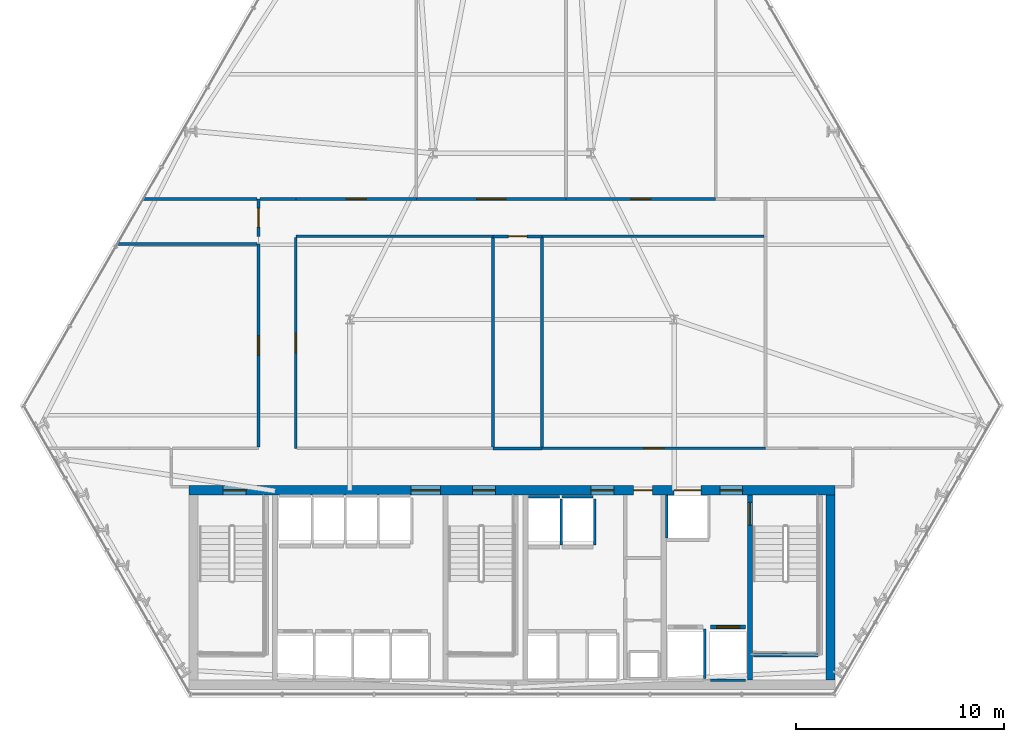
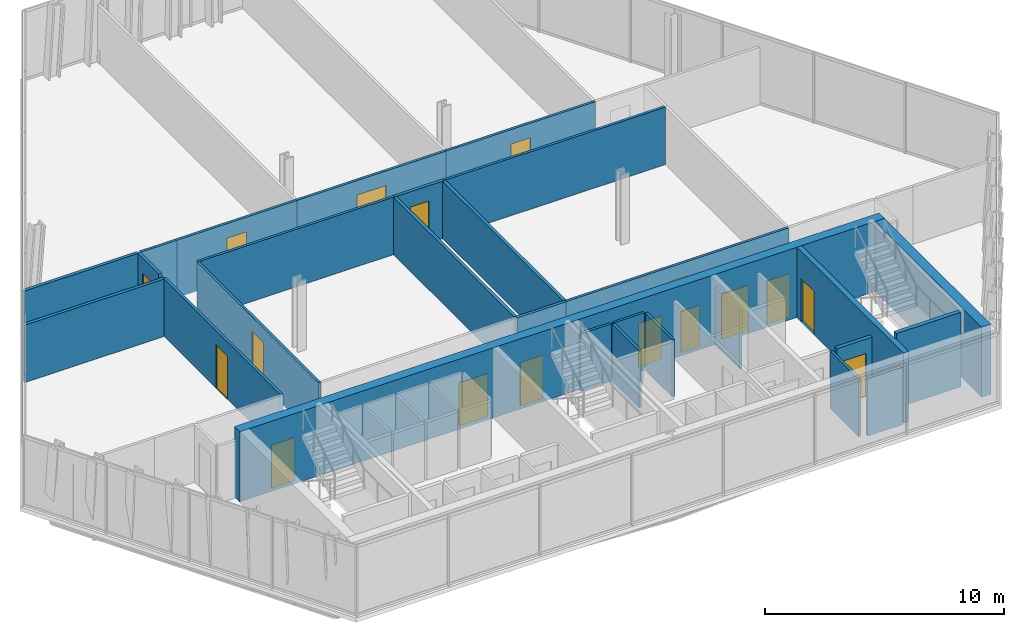
# One storey, part 28 of 32: 28 walls, 17 doors, 17 openings.
"""IFC4 building model written with IfcOpenShell, lengths in metres."""

from ifc_helpers import new_model, si_unit, direction, frame, frame_2d, origin, place, context, subcontext, project, spatial, rectangle, extrude, material, layer, layer_set, type_object, element, fill, save


model = new_model("IFC4")

# Units and contexts
model_context = context("Model", 3, precision=1e-05, world=origin(), true_north=direction((0.0, 1.0)))
body_context = subcontext(model_context, "Body", "Model", "MODEL_VIEW")
ifc_project = project(units=[si_unit("LENGTHUNIT", "METRE"), si_unit("AREAUNIT", "SQUARE_METRE"), si_unit("VOLUMEUNIT", "CUBIC_METRE"), si_unit("PLANEANGLEUNIT", "RADIAN"), si_unit("MASSUNIT", "GRAM", prefix="KILO")], contexts=[model_context])

# Site, building, storey
site_placement = place(None, origin())
site = spatial("IfcSite", under=ifc_project, at=site_placement, CompositionType="ELEMENT")
building_placement = place(site_placement, origin())
building = spatial("IfcBuilding", under=site, at=building_placement, Name="Ndaravel Arena Tower", CompositionType="ELEMENT")
storey_placement = place(building_placement, frame((0.0, 0.0, 55.0)))
storey = spatial("IfcBuildingStorey", under=building, at=storey_placement, Name="L11", CompositionType="ELEMENT", Elevation=55.0)

# Wall, opening, door
ifc_material_1 = material(Name="Concrete C60/75", Category="concrete")
ifc_layer_1 = layer(ifc_material_1, 0.25)
ifc_layer_set_1 = layer_set([ifc_layer_1], Name="Concrete C60/75")
wall_type_1 = type_object("IfcWallType", Name="WALL-CORE-250", PredefinedType="SOLIDWALL", material=ifc_layer_set_1)
wall_1_placement = place(storey_placement, frame((53.449951171875, 5.85009765625, 0.0), z_axis=(0.0, 0.0, 1.0), x_axis=(0.0, 1.0, 0.0)))
wall_1 = element("IfcWall", 1, at=wall_1_placement, inside=storey, type_object=wall_type_1, Name="L11 Core Web Shear Wall 5", PredefinedType="SOLIDWALL", context=body_context, shape_type="SweptSolid", body=[
    extrude(rectangle(XDim=8.89990234375, YDim=0.25, at=frame_2d((4.449951171875, 0.0))), origin(), (0.0, 0.0, 1.0), 3.580078125),
])
opening_1_placement = place(wall_1_placement, frame((7.449951171875, 0.0, 0.0)))
opening_1 = element("IfcOpeningElement", 2, at=opening_1_placement, cuts=wall_1, Name="Opening FD-01", PredefinedType="OPENING", context=body_context, shape_type="SweptSolid", body=[
    extrude(rectangle(XDim=1.10009765625, YDim=2.199951171875, at=frame_2d((0.550048828125, 1.10009765625))), frame((0.0, 0.125, 0.0), z_axis=(0.0, -1.0, 0.0), x_axis=(1.0, 0.0, 0.0)), (0.0, 0.0, 1.0), 0.25),
])
ifc_material_2 = material(Name="Steel S355", Category="steel")
door_type_1 = type_object("IfcDoorType", Name="DT-01-STAIR-1100", OperationType="SINGLE_SWING_LEFT", PredefinedType="DOOR", material=ifc_material_2)
door_1_placement = place(opening_1_placement, origin())
door_1 = element("IfcDoor", 3, at=door_1_placement, inside=storey, type_object=door_type_1, Name="L11 Firefighting Lobby to ST-3 Door", OperationType="SINGLE_SWING_LEFT", OverallHeight=2.199951171875, OverallWidth=1.10009765625, PredefinedType="DOOR", context=body_context, shape_type="SweptSolid", body=[
    extrude(rectangle(XDim=1.10009765625, YDim=2.199951171875, at=frame_2d((0.550048828125, 1.10009765625))), frame((0.0, 0.02490234375, 0.0), z_axis=(0.0, -1.0, 0.0), x_axis=(1.0, 0.0, 0.0)), (0.0, 0.0, 1.0), 0.050048828125),
])
fill(opening_1, door_1)

# Wall, openings, doors
ifc_material_3 = material(Name="Concrete C60/75", Category="concrete")
ifc_layer_2 = layer(ifc_material_3, 0.449951171875)
ifc_layer_set_2 = layer_set([ifc_layer_2], Name="Concrete C60/75")
wall_type_2 = type_object("IfcWallType", Name="WALL-CORE-450", PredefinedType="SOLIDWALL", material=ifc_layer_set_2)
wall_2_placement = place(storey_placement, frame((26.449951171875, 14.97509765625, 0.0), z_axis=(0.0, 0.0, 1.0), x_axis=(1.0, 0.0, 0.0)))
wall_2 = element("IfcWall", 4, at=wall_2_placement, inside=storey, type_object=wall_type_2, Name="L11 Core North Shear Wall", PredefinedType="SOLIDWALL", context=body_context, shape_type="SweptSolid", body=[
    extrude(rectangle(XDim=31.10009765625, YDim=0.449951171875, at=frame_2d((15.550048828125, 0.0))), origin(), (0.0, 0.0, 1.0), 3.580078125),
])
opening_2_placement = place(wall_2_placement, frame((1.64990234375, 0.0, 0.0)))
opening_2 = element("IfcOpeningElement", 5, at=opening_2_placement, cuts=wall_2, Name="Opening FD-01", PredefinedType="OPENING", context=body_context, shape_type="SweptSolid", body=[
    extrude(rectangle(XDim=1.10009765625, YDim=2.199951171875, at=frame_2d((0.550048828125, 1.10009765625))), frame((0.0, 0.22509765625, 0.0), z_axis=(0.0, -1.0, 0.0), x_axis=(1.0, 0.0, 0.0)), (0.0, 0.0, 1.0), 0.449951171875),
])
opening_3_placement = place(wall_2_placement, frame((13.64990234375, 0.0, 0.0)))
opening_3 = element("IfcOpeningElement", 6, at=opening_3_placement, cuts=wall_2, Name="Opening FD-01", PredefinedType="OPENING", context=body_context, shape_type="SweptSolid", body=[
    extrude(rectangle(XDim=1.10009765625, YDim=2.199951171875, at=frame_2d((0.550048828125, 1.10009765625))), frame((0.0, 0.22509765625, 0.0), z_axis=(0.0, -1.0, 0.0), x_axis=(1.0, 0.0, 0.0)), (0.0, 0.0, 1.0), 0.449951171875),
])
opening_4_placement = place(wall_2_placement, frame((25.550048828125, 0.0, 0.0)))
opening_4 = element("IfcOpeningElement", 7, at=opening_4_placement, cuts=wall_2, Name="Opening FD-01", PredefinedType="OPENING", context=body_context, shape_type="SweptSolid", body=[
    extrude(rectangle(XDim=1.10009765625, YDim=2.199951171875, at=frame_2d((0.550048828125, 1.10009765625))), frame((0.0, 0.22509765625, 0.0), z_axis=(0.0, -1.0, 0.0), x_axis=(1.0, 0.0, 0.0)), (0.0, 0.0, 1.0), 0.449951171875),
])
opening_5_placement = place(wall_2_placement, frame((10.699951171875, 0.0, 0.0)))
opening_5 = element("IfcOpeningElement", 8, at=opening_5_placement, cuts=wall_2, Name="Opening ID-02", PredefinedType="OPENING", context=body_context, shape_type="SweptSolid", body=[
    extrude(rectangle(XDim=1.39990234375, YDim=2.199951171875, at=frame_2d((0.699951171875, 1.10009765625))), frame((0.0, 0.22509765625, 0.0), z_axis=(0.0, -1.0, 0.0), x_axis=(1.0, 0.0, 0.0)), (0.0, 0.0, 1.0), 0.449951171875),
])
opening_6_placement = place(wall_2_placement, frame((19.35009765625, 0.0, 0.0)))
opening_6 = element("IfcOpeningElement", 9, at=opening_6_placement, cuts=wall_2, Name="Opening FD-01", PredefinedType="OPENING", context=body_context, shape_type="SweptSolid", body=[
    extrude(rectangle(XDim=1.10009765625, YDim=2.199951171875, at=frame_2d((0.550048828125, 1.10009765625))), frame((0.0, 0.22509765625, 0.0), z_axis=(0.0, -1.0, 0.0), x_axis=(1.0, 0.0, 0.0)), (0.0, 0.0, 1.0), 0.449951171875),
])
opening_7_placement = place(wall_2_placement, frame((21.39990234375, 0.0, 0.0)))
opening_7 = element("IfcOpeningElement", 10, at=opening_7_placement, cuts=wall_2, Name="Opening RD-01", PredefinedType="OPENING", context=body_context, shape_type="SweptSolid", body=[
    extrude(rectangle(XDim=0.89990234375, YDim=2.10009765625, at=frame_2d((0.449951171875, 1.050048828125))), frame((0.0, 0.22509765625, 0.0), z_axis=(0.0, -1.0, 0.0), x_axis=(1.0, 0.0, 0.0)), (0.0, 0.0, 1.0), 0.449951171875),
])
opening_8_placement = place(wall_2_placement, frame((23.35009765625, 0.0, 0.0)))
opening_8 = element("IfcOpeningElement", 11, at=opening_8_placement, cuts=wall_2, Name="Opening LD-02", PredefinedType="OPENING", context=body_context, shape_type="SweptSolid", body=[
    extrude(rectangle(XDim=1.300048828125, YDim=2.300048828125, at=frame_2d((0.64990234375, 1.14990234375))), frame((0.0, 0.22509765625, 0.0), z_axis=(0.0, -1.0, 0.0), x_axis=(1.0, 0.0, 0.0)), (0.0, 0.0, 1.0), 0.449951171875),
])
door_2_placement = place(opening_2_placement, origin())
door_2 = element("IfcDoor", 12, at=door_2_placement, inside=storey, type_object=door_type_1, Name="L11 Exit Stair ST-1 Door", OperationType="SINGLE_SWING_RIGHT", OverallHeight=2.199951171875, OverallWidth=1.10009765625, PredefinedType="DOOR", context=body_context, shape_type="SweptSolid", body=[
    extrude(rectangle(XDim=1.10009765625, YDim=2.199951171875, at=frame_2d((0.550048828125, 1.10009765625))), frame((0.0, 0.02490234375, 0.0), z_axis=(0.0, -1.0, 0.0), x_axis=(1.0, 0.0, 0.0)), (0.0, 0.0, 1.0), 0.050048828125),
])
fill(opening_2, door_2)
door_3_placement = place(opening_3_placement, origin())
door_3 = element("IfcDoor", 13, at=door_3_placement, inside=storey, type_object=door_type_1, Name="L11 Exit Stair ST-2 Door", OperationType="SINGLE_SWING_LEFT", OverallHeight=2.199951171875, OverallWidth=1.10009765625, PredefinedType="DOOR", context=body_context, shape_type="SweptSolid", body=[
    extrude(rectangle(XDim=1.10009765625, YDim=2.199951171875, at=frame_2d((0.550048828125, 1.10009765625))), frame((0.0, 0.02490234375, 0.0), z_axis=(0.0, -1.0, 0.0), x_axis=(1.0, 0.0, 0.0)), (0.0, 0.0, 1.0), 0.050048828125),
])
fill(opening_3, door_3)
door_4_placement = place(opening_4_placement, origin())
door_4 = element("IfcDoor", 14, at=door_4_placement, inside=storey, type_object=door_type_1, Name="L11 Firefighting Lift Lobby Door", OperationType="SINGLE_SWING_RIGHT", OverallHeight=2.199951171875, OverallWidth=1.10009765625, PredefinedType="DOOR", context=body_context, shape_type="SweptSolid", body=[
    extrude(rectangle(XDim=1.10009765625, YDim=2.199951171875, at=frame_2d((0.550048828125, 1.10009765625))), frame((0.0, 0.02490234375, 0.0), z_axis=(0.0, -1.0, 0.0), x_axis=(1.0, 0.0, 0.0)), (0.0, 0.0, 1.0), 0.050048828125),
])
fill(opening_4, door_4)
door_5_placement = place(opening_6_placement, origin())
door_5 = element("IfcDoor", 15, at=door_5_placement, inside=storey, type_object=door_type_1, Name="L11 Express Lift Lobby Entry Door", OperationType="SINGLE_SWING_LEFT", OverallHeight=2.199951171875, OverallWidth=1.10009765625, PredefinedType="DOOR", context=body_context, shape_type="SweptSolid", body=[
    extrude(rectangle(XDim=1.10009765625, YDim=2.199951171875, at=frame_2d((0.550048828125, 1.10009765625))), frame((0.0, 0.02490234375, 0.0), z_axis=(0.0, -1.0, 0.0), x_axis=(1.0, 0.0, 0.0)), (0.0, 0.0, 1.0), 0.050048828125),
])
fill(opening_6, door_5)
ifc_material_4 = material(Name="Timber", Category="wood")
door_type_2 = type_object("IfcDoorType", Name="DT-04-SUITE-1400", OperationType="DOUBLE_DOOR_SINGLE_SWING", PredefinedType="DOOR", material=ifc_material_4)
door_6_placement = place(opening_5_placement, origin())
door_6 = element("IfcDoor", 16, at=door_6_placement, inside=storey, type_object=door_type_2, Name="L11 West Lift Lobby Entry Door", OperationType="DOUBLE_DOOR_SINGLE_SWING", OverallHeight=2.199951171875, OverallWidth=1.39990234375, PredefinedType="DOOR", context=body_context, shape_type="SweptSolid", body=[
    extrude(rectangle(XDim=1.39990234375, YDim=2.199951171875, at=frame_2d((0.699951171875, 1.10009765625))), frame((0.0, 0.02490234375, 0.0), z_axis=(0.0, -1.0, 0.0), x_axis=(1.0, 0.0, 0.0)), (0.0, 0.0, 1.0), 0.050048828125),
])
fill(opening_5, door_6)
ifc_material_5 = material(Name="Steel S355", Category="steel")
door_type_3 = type_object("IfcDoorType", Name="DT-07-SVLIFT-1300", OperationType="DOUBLE_DOOR_SLIDING", PredefinedType="DOOR", material=ifc_material_5)
door_7_placement = place(opening_8_placement, origin())
door_7 = element("IfcDoor", 17, at=door_7_placement, inside=storey, type_object=door_type_3, Name="L11 Lift SVL-1 Sliding Landing Door", OperationType="DOUBLE_DOOR_SLIDING", OverallHeight=2.300048828125, OverallWidth=1.300048828125, PredefinedType="DOOR", context=body_context, shape_type="SweptSolid", body=[
    extrude(rectangle(XDim=1.300048828125, YDim=2.300048828125, at=frame_2d((0.64990234375, 1.14990234375))), frame((0.0, 0.02490234375, 0.0), z_axis=(0.0, -1.0, 0.0), x_axis=(1.0, 0.0, 0.0)), (0.0, 0.0, 1.0), 0.050048828125),
])
fill(opening_8, door_7)
ifc_material_6 = material(Name="Steel S355", Category="steel")
door_type_4 = type_object("IfcDoorType", Name="DT-08-RISER-900", OperationType="SINGLE_SWING_LEFT", PredefinedType="DOOR", material=ifc_material_6)
door_8_placement = place(opening_7_placement, origin())
door_8 = element("IfcDoor", 18, at=door_8_placement, inside=storey, type_object=door_type_4, Name="L11 Core Service Riser North Door", OperationType="SINGLE_SWING_LEFT", OverallHeight=2.10009765625, OverallWidth=0.89990234375, PredefinedType="DOOR", context=body_context, shape_type="SweptSolid", body=[
    extrude(rectangle(XDim=0.89990234375, YDim=2.10009765625, at=frame_2d((0.449951171875, 1.050048828125))), frame((0.0, 0.02490234375, 0.0), z_axis=(0.0, -1.0, 0.0), x_axis=(1.0, 0.0, 0.0)), (0.0, 0.0, 1.0), 0.050048828125),
])
fill(opening_7, door_8)

# Wall
wall_3_placement = place(storey_placement, frame((57.324951171875, 5.85009765625, 0.0), z_axis=(0.0, 0.0, 1.0), x_axis=(0.0, 1.0, 0.0)))
element("IfcWall", 19, at=wall_3_placement, inside=storey, type_object=wall_type_2, Name="L11 Core East Shear Wall", PredefinedType="SOLIDWALL", context=body_context, shape_type="SweptSolid", body=[
    extrude(rectangle(XDim=8.89990234375, YDim=0.449951171875, at=frame_2d((4.449951171875, 0.0))), origin(), (0.0, 0.0, 1.0), 3.580078125),
])

# Wall, opening, door
ifc_material_7 = material(Name="Gypsum", Category="gypsum")
ifc_layer_3 = layer(ifc_material_7, 0.125)
ifc_layer_set_3 = layer_set([ifc_layer_3], Name="Gypsum")
wall_type_3 = type_object("IfcWallType", Name="WALL-PART-125", PredefinedType="PARTITIONING", material=ifc_layer_set_3)
wall_4_placement = place(storey_placement, frame((29.800048828125, 17.06494140625, 0.0), z_axis=(0.0, 0.0, 1.0), x_axis=(0.0, 1.0, 0.0)))
wall_4 = element("IfcWall", 20, at=wall_4_placement, inside=storey, type_object=wall_type_3, Name="L11 Interior Partition 006", PredefinedType="PARTITIONING", context=body_context, shape_type="SweptSolid", body=[
    extrude(rectangle(XDim=9.775146484375, YDim=0.125, at=frame_2d((4.8876953125, 0.0))), origin(), (0.0, 0.0, 1.0), 2.932861328125),
])
opening_9_placement = place(wall_4_placement, frame((4.41259765625, 0.0, 0.0)))
opening_9 = element("IfcOpeningElement", 21, at=opening_9_placement, cuts=wall_4, Name="Opening ID-01", PredefinedType="OPENING", context=body_context, shape_type="SweptSolid", body=[
    extrude(rectangle(XDim=0.949951171875, YDim=2.199951171875, at=frame_2d((0.47509765625, 1.10009765625))), frame((0.0, 0.0625, 0.0), z_axis=(0.0, -1.0, 0.0), x_axis=(1.0, 0.0, 0.0)), (0.0, 0.0, 1.0), 0.125),
])
ifc_material_8 = material(Name="Timber", Category="wood")
door_type_5 = type_object("IfcDoorType", Name="DT-03-OFFICE-950", OperationType="SINGLE_SWING_LEFT", PredefinedType="DOOR", material=ifc_material_8)
door_9_placement = place(opening_9_placement, origin())
door_9 = element("IfcDoor", 22, at=door_9_placement, inside=storey, type_object=door_type_5, Name="L11 Quiet Reading Library Door", OperationType="SINGLE_SWING_RIGHT", OverallHeight=2.199951171875, OverallWidth=0.949951171875, PredefinedType="DOOR", context=body_context, shape_type="SweptSolid", body=[
    extrude(rectangle(XDim=0.949951171875, YDim=2.199951171875, at=frame_2d((0.47509765625, 1.10009765625))), frame((0.0, 0.02490234375, 0.0), z_axis=(0.0, -1.0, 0.0), x_axis=(1.0, 0.0, 0.0)), (0.0, 0.0, 1.0), 0.050048828125),
])
fill(opening_9, door_9)

# Wall
wall_5_placement = place(storey_placement, frame((29.864990234375, 29.0, 0.0), z_axis=(0.0, 0.0, 1.0), x_axis=(1.0, 0.0, 0.0)))
element("IfcWall", 23, at=wall_5_placement, inside=storey, type_object=wall_type_3, Name="L11 Interior Partition 008", PredefinedType="PARTITIONING", context=body_context, shape_type="SweptSolid", body=[
    extrude(rectangle(XDim=1.735107421875, YDim=0.125, at=frame_2d((0.86767578125, 0.0))), origin(), (0.0, 0.0, 1.0), 2.932861328125),
])

# Wall, opening, door
wall_6_placement = place(storey_placement, frame((31.60009765625, 29.0, 0.0), z_axis=(0.0, 0.0, 1.0), x_axis=(1.0, 0.0, 0.0)))
wall_6 = element("IfcWall", 24, at=wall_6_placement, inside=storey, type_object=wall_type_3, Name="L11 Interior Partition 009", PredefinedType="PARTITIONING", context=body_context, shape_type="SweptSolid", body=[
    extrude(rectangle(XDim=5.7998046875, YDim=0.125, at=frame_2d((2.89990234375, 0.0))), origin(), (0.0, 0.0, 1.0), 2.932861328125),
])
opening_10_placement = place(wall_6_placement, frame((2.425048828125, 0.0, 0.0)))
opening_10 = element("IfcOpeningElement", 25, at=opening_10_placement, cuts=wall_6, Name="Opening ID-01", PredefinedType="OPENING", context=body_context, shape_type="SweptSolid", body=[
    extrude(rectangle(XDim=0.949951171875, YDim=2.199951171875, at=frame_2d((0.47509765625, 1.10009765625))), frame((0.0, 0.0625, 0.0), z_axis=(0.0, -1.0, 0.0), x_axis=(1.0, 0.0, 0.0)), (0.0, 0.0, 1.0), 0.125),
])
door_10_placement = place(opening_10_placement, origin())
door_10 = element("IfcDoor", 26, at=door_10_placement, inside=storey, type_object=door_type_5, Name="L11 Quiet Study Room 3 Door", OperationType="SINGLE_SWING_LEFT", OverallHeight=2.199951171875, OverallWidth=0.949951171875, PredefinedType="DOOR", context=body_context, shape_type="SweptSolid", body=[
    extrude(rectangle(XDim=0.949951171875, YDim=2.199951171875, at=frame_2d((0.47509765625, 1.10009765625))), frame((0.0, 0.02490234375, 0.0), z_axis=(0.0, -1.0, 0.0), x_axis=(1.0, 0.0, 0.0)), (0.0, 0.0, 1.0), 0.050048828125),
])
fill(opening_10, door_10)

wall_7_placement = place(storey_placement, frame((37.39990234375, 29.0, 0.0), z_axis=(0.0, 0.0, 1.0), x_axis=(1.0, 0.0, 0.0)))
wall_7 = element("IfcWall", 27, at=wall_7_placement, inside=storey, type_object=wall_type_3, Name="L11 Interior Partition 010", PredefinedType="PARTITIONING", context=body_context, shape_type="SweptSolid", body=[
    extrude(rectangle(XDim=7.2001953125, YDim=0.125, at=frame_2d((3.60009765625, 0.0))), origin(), (0.0, 0.0, 1.0), 2.932861328125),
])
opening_11_placement = place(wall_7_placement, frame((2.89990234375, 0.0, 0.0)))
opening_11 = element("IfcOpeningElement", 28, at=opening_11_placement, cuts=wall_7, Name="Opening ID-02", PredefinedType="OPENING", context=body_context, shape_type="SweptSolid", body=[
    extrude(rectangle(XDim=1.39990234375, YDim=2.199951171875, at=frame_2d((0.699951171875, 1.10009765625))), frame((0.0, 0.0625, 0.0), z_axis=(0.0, -1.0, 0.0), x_axis=(1.0, 0.0, 0.0)), (0.0, 0.0, 1.0), 0.125),
])
door_11_placement = place(opening_11_placement, origin())
door_11 = element("IfcDoor", 29, at=door_11_placement, inside=storey, type_object=door_type_2, Name="L11 Executive Dining Lounge 4 Door", OperationType="SINGLE_SWING_LEFT", OverallHeight=2.199951171875, OverallWidth=1.39990234375, PredefinedType="DOOR", context=body_context, shape_type="SweptSolid", body=[
    extrude(rectangle(XDim=1.39990234375, YDim=2.199951171875, at=frame_2d((0.699951171875, 1.10009765625))), frame((0.0, 0.02490234375, 0.0), z_axis=(0.0, -1.0, 0.0), x_axis=(1.0, 0.0, 0.0)), (0.0, 0.0, 1.0), 0.050048828125),
])
fill(opening_11, door_11)

wall_8_placement = place(storey_placement, frame((44.60009765625, 29.0, 0.0), z_axis=(0.0, 0.0, 1.0), x_axis=(1.0, 0.0, 0.0)))
wall_8 = element("IfcWall", 30, at=wall_8_placement, inside=storey, type_object=wall_type_3, Name="L11 Interior Partition 011", PredefinedType="PARTITIONING", context=body_context, shape_type="SweptSolid", body=[
    extrude(rectangle(XDim=7.199951171875, YDim=0.125, at=frame_2d((3.60009765625, 0.0))), origin(), (0.0, 0.0, 1.0), 2.932861328125),
])
opening_12_placement = place(wall_8_placement, frame((3.125, 0.0, 0.0)))
opening_12 = element("IfcOpeningElement", 31, at=opening_12_placement, cuts=wall_8, Name="Opening ID-01", PredefinedType="OPENING", context=body_context, shape_type="SweptSolid", body=[
    extrude(rectangle(XDim=0.949951171875, YDim=2.199951171875, at=frame_2d((0.47509765625, 1.10009765625))), frame((0.0, 0.0625, 0.0), z_axis=(0.0, -1.0, 0.0), x_axis=(1.0, 0.0, 0.0)), (0.0, 0.0, 1.0), 0.125),
])
door_12_placement = place(opening_12_placement, origin())
door_12 = element("IfcDoor", 32, at=door_12_placement, inside=storey, type_object=door_type_5, Name="L11 Executive Corner Office 4 Door", OperationType="SINGLE_SWING_RIGHT", OverallHeight=2.199951171875, OverallWidth=0.949951171875, PredefinedType="DOOR", context=body_context, shape_type="SweptSolid", body=[
    extrude(rectangle(XDim=0.949951171875, YDim=2.199951171875, at=frame_2d((0.47509765625, 1.10009765625))), frame((0.0, 0.02490234375, 0.0), z_axis=(0.0, -1.0, 0.0), x_axis=(1.0, 0.0, 0.0)), (0.0, 0.0, 1.0), 0.050048828125),
])
fill(opening_12, door_12)

# Walls
wall_9_placement = place(storey_placement, frame((54.135009765625, 27.199951171875, 0.0), z_axis=(0.0, 0.0, 1.0), x_axis=(-1.0, 0.0, 0.0)))
element("IfcWall", 33, at=wall_9_placement, inside=storey, type_object=wall_type_3, Name="L11 Interior Partition 014", PredefinedType="PARTITIONING", context=body_context, shape_type="SweptSolid", body=[
    extrude(rectangle(XDim=10.68359375, YDim=0.125, at=frame_2d((5.341796875, 0.0))), origin(), (0.0, 0.0, 1.0), 2.932861328125),
])
wall_10_placement = place(storey_placement, frame((41.092041015625, 27.199951171875, 0.0), z_axis=(0.0, 0.0, 1.0), x_axis=(-1.0, 0.0, 0.0)))
element("IfcWall", 34, at=wall_10_placement, inside=storey, type_object=wall_type_3, Name="L11 Interior Partition 016", PredefinedType="PARTITIONING", context=body_context, shape_type="SweptSolid", body=[
    extrude(rectangle(XDim=9.491943359375, YDim=0.125, at=frame_2d((4.74609375, 0.0))), origin(), (0.0, 0.0, 1.0), 2.932861328125),
])

# Wall, opening, door
wall_11_placement = place(storey_placement, frame((31.60009765625, 27.135009765625, 0.0), z_axis=(0.0, 0.0, 1.0), x_axis=(0.0, -1.0, 0.0)))
wall_11 = element("IfcWall", 35, at=wall_11_placement, inside=storey, type_object=wall_type_3, Name="L11 Interior Partition 017", PredefinedType="PARTITIONING", context=body_context, shape_type="SweptSolid", body=[
    extrude(rectangle(XDim=10.135009765625, YDim=0.125, at=frame_2d((5.0673828125, 0.0))), origin(), (0.0, 0.0, 1.0), 2.932861328125),
])
opening_13_placement = place(wall_11_placement, frame((4.592529296875, 0.0, 0.0)))
opening_13 = element("IfcOpeningElement", 36, at=opening_13_placement, cuts=wall_11, Name="Opening ID-01", PredefinedType="OPENING", context=body_context, shape_type="SweptSolid", body=[
    extrude(rectangle(XDim=0.949951171875, YDim=2.199951171875, at=frame_2d((0.47509765625, 1.10009765625))), frame((0.0, 0.0625, 0.0), z_axis=(0.0, -1.0, 0.0), x_axis=(1.0, 0.0, 0.0)), (0.0, 0.0, 1.0), 0.125),
])
door_13_placement = place(opening_13_placement, origin())
door_13 = element("IfcDoor", 37, at=door_13_placement, inside=storey, type_object=door_type_5, Name="L11 Design Bookshop Boutique Door", OperationType="SINGLE_SWING_LEFT", OverallHeight=2.199951171875, OverallWidth=0.949951171875, PredefinedType="DOOR", context=body_context, shape_type="SweptSolid", body=[
    extrude(rectangle(XDim=0.949951171875, YDim=2.199951171875, at=frame_2d((0.47509765625, 1.10009765625))), frame((0.0, 0.02490234375, 0.0), z_axis=(0.0, -1.0, 0.0), x_axis=(1.0, 0.0, 0.0)), (0.0, 0.0, 1.0), 0.050048828125),
])
fill(opening_13, door_13)

wall_12_placement = place(storey_placement, frame((43.451416015625, 17.0, 0.0), z_axis=(0.0, 0.0, 1.0), x_axis=(1.0, 0.0, 0.0)))
wall_12 = element("IfcWall", 38, at=wall_12_placement, inside=storey, type_object=wall_type_3, Name="L11 Interior Partition 020", PredefinedType="PARTITIONING", context=body_context, shape_type="SweptSolid", body=[
    extrude(rectangle(XDim=10.74853515625, YDim=0.125, at=frame_2d((5.374267578125, 0.0))), origin(), (0.0, 0.0, 1.0), 2.932861328125),
])
opening_14_placement = place(wall_12_placement, frame((4.8994140625, 0.0, 0.0)))
opening_14 = element("IfcOpeningElement", 39, at=opening_14_placement, cuts=wall_12, Name="Opening ID-01", PredefinedType="OPENING", context=body_context, shape_type="SweptSolid", body=[
    extrude(rectangle(XDim=0.949951171875, YDim=2.199951171875, at=frame_2d((0.47509765625, 1.10009765625))), frame((0.0, 0.0625, 0.0), z_axis=(0.0, -1.0, 0.0), x_axis=(1.0, 0.0, 0.0)), (0.0, 0.0, 1.0), 0.125),
])
door_14_placement = place(opening_14_placement, origin())
door_14 = element("IfcDoor", 40, at=door_14_placement, inside=storey, type_object=door_type_5, Name="L11 Cellular Partner Office 2 Door", OperationType="SINGLE_SWING_LEFT", OverallHeight=2.199951171875, OverallWidth=0.949951171875, PredefinedType="DOOR", context=body_context, shape_type="SweptSolid", body=[
    extrude(rectangle(XDim=0.949951171875, YDim=2.199951171875, at=frame_2d((0.47509765625, 1.10009765625))), frame((0.0, 0.02490234375, 0.0), z_axis=(0.0, -1.0, 0.0), x_axis=(1.0, 0.0, 0.0)), (0.0, 0.0, 1.0), 0.050048828125),
])
fill(opening_14, door_14)

# Walls
ifc_material_9 = material(Name="Concrete C40/50", Category="concrete")
ifc_layer_4 = layer(ifc_material_9, 0.1201171875)
ifc_layer_set_4 = layer_set([ifc_layer_4], Name="Concrete C40/50")
wall_type_4 = type_object("IfcWallType", Name="WALL-SHAFT-120", PredefinedType="SOLIDWALL", material=ifc_layer_set_4)
wall_13_placement = place(storey_placement, frame((42.804931640625, 14.659912109375, 0.0), z_axis=(0.0, 0.0, 1.0), x_axis=(1.0, 0.0, 0.0)))
element("IfcWall", 41, at=wall_13_placement, inside=storey, type_object=wall_type_4, Name="L11 PL-OBS1 Shaft Rear Wall", PredefinedType="SOLIDWALL", context=body_context, shape_type="SweptSolid", body=[
    extrude(rectangle(XDim=1.489990234375, YDim=0.1201171875, at=frame_2d((0.7451171875, 0.0))), origin(), (0.0, 0.0, 1.0), 2.932861328125),
])
wall_14_placement = place(storey_placement, frame((44.375, 12.340087890625, 0.0), z_axis=(0.0, 0.0, 1.0), x_axis=(0.0, 1.0, 0.0)))
element("IfcWall", 42, at=wall_14_placement, inside=storey, type_object=wall_type_4, Name="L11 PL-OBS1 Shaft Side R Wall", PredefinedType="SOLIDWALL", context=body_context, shape_type="SweptSolid", body=[
    extrude(rectangle(XDim=2.22998046875, YDim=0.1201171875, at=frame_2d((1.114990234375, 0.0))), origin(), (0.0, 0.0, 1.0), 2.932861328125),
])
wall_15_placement = place(storey_placement, frame((44.405029296875, 14.659912109375, 0.0), z_axis=(0.0, 0.0, 1.0), x_axis=(1.0, 0.0, 0.0)))
element("IfcWall", 43, at=wall_15_placement, inside=storey, type_object=wall_type_4, Name="L11 PL-OBS2 Shaft Rear Wall", PredefinedType="SOLIDWALL", context=body_context, shape_type="SweptSolid", body=[
    extrude(rectangle(XDim=1.489990234375, YDim=0.1201171875, at=frame_2d((0.7451171875, 0.0))), origin(), (0.0, 0.0, 1.0), 2.932861328125),
])
wall_16_placement = place(storey_placement, frame((45.97509765625, 12.340087890625, 0.0), z_axis=(0.0, 0.0, 1.0), x_axis=(0.0, 1.0, 0.0)))
element("IfcWall", 44, at=wall_16_placement, inside=storey, type_object=wall_type_4, Name="L11 PL-OBS2 Shaft Side R Wall", PredefinedType="SOLIDWALL", context=body_context, shape_type="SweptSolid", body=[
    extrude(rectangle(XDim=2.22998046875, YDim=0.1201171875, at=frame_2d((1.114990234375, 0.0))), origin(), (0.0, 0.0, 1.0), 2.932861328125),
])
wall_17_placement = place(storey_placement, frame((51.27490234375, 5.929931640625, 0.0), z_axis=(0.0, 0.0, 1.0), x_axis=(0.0, 1.0, 0.0)))
element("IfcWall", 45, at=wall_17_placement, inside=storey, type_object=wall_type_4, Name="L11 FFL-1 Shaft Side R Wall", PredefinedType="SOLIDWALL", context=body_context, shape_type="SweptSolid", body=[
    extrude(rectangle(XDim=2.380126953125, YDim=0.1201171875, at=frame_2d((1.18994140625, 0.0))), origin(), (0.0, 0.0, 1.0), 2.932861328125),
])
wall_18_placement = place(storey_placement, frame((51.554931640625, 5.840087890625, 0.0), z_axis=(0.0, 0.0, 1.0), x_axis=(1.0, 0.0, 0.0)))
element("IfcWall", 46, at=wall_18_placement, inside=storey, type_object=wall_type_4, Name="L11 FFL-2 Shaft Rear Wall", PredefinedType="SOLIDWALL", context=body_context, shape_type="SweptSolid", body=[
    extrude(rectangle(XDim=1.690185546875, YDim=0.1201171875, at=frame_2d((0.84521484375, 0.0))), origin(), (0.0, 0.0, 1.0), 2.932861328125),
])
wall_19_placement = place(storey_placement, frame((49.43994140625, 12.68994140625, 0.0), z_axis=(0.0, 0.0, 1.0), x_axis=(0.0, 1.0, 0.0)))
element("IfcWall", 47, at=wall_19_placement, inside=storey, type_object=wall_type_4, Name="L11 SVL-1 Shaft W Wall", PredefinedType="SOLIDWALL", context=body_context, shape_type="SweptSolid", body=[
    extrude(rectangle(XDim=2.070068359375, YDim=0.1201171875, at=frame_2d((1.03515625, 0.0))), origin(), (0.0, 0.0, 1.0), 2.932861328125),
])
ifc_material_10 = material(Name="Concrete C40/50", Category="concrete")
ifc_layer_5 = layer(ifc_material_10, 0.199951171875)
ifc_layer_set_5 = layer_set([ifc_layer_5], Name="Concrete C40/50")
wall_type_5 = type_object("IfcWallType", Name="WALL-SHAFT-200", PredefinedType="SOLIDWALL", material=ifc_layer_set_5)
wall_20_placement = place(storey_placement, frame((53.6201171875, 7.050048828125, 0.0), z_axis=(0.0, 0.0, 1.0), x_axis=(1.0, 0.0, 0.0)))
element("IfcWall", 48, at=wall_20_placement, inside=storey, type_object=wall_type_5, Name="L11 ST-3 Structural Shaft Wall Far", PredefinedType="SOLIDWALL", context=body_context, shape_type="SweptSolid", body=[
    extrude(rectangle(XDim=3.114990234375, YDim=0.199951171875, at=frame_2d((1.5576171875, 0.0))), origin(), (0.0, 0.0, 1.0), 3.800048828125),
])

# Wall, opening, door
wall_21_placement = place(storey_placement, frame((51.554931640625, 8.39990234375, 0.0), z_axis=(0.0, 0.0, 1.0), x_axis=(1.0, 0.0, 0.0)))
wall_21 = element("IfcWall", 49, at=wall_21_placement, inside=storey, type_object=wall_type_5, Name="L11 FFL-2 Shaft Landing Wall", PredefinedType="SOLIDWALL", context=body_context, shape_type="SweptSolid", body=[
    extrude(rectangle(XDim=1.690185546875, YDim=0.179931640625, at=frame_2d((0.84521484375, 0.0))), origin(), (0.0, 0.0, 1.0), 2.932861328125),
])
opening_15_placement = place(wall_21_placement, frame((0.294921875, 0.0, 0.0)))
opening_15 = element("IfcOpeningElement", 50, at=opening_15_placement, cuts=wall_21, Name="Opening LD-01", PredefinedType="OPENING", context=body_context, shape_type="SweptSolid", body=[
    extrude(rectangle(XDim=1.10009765625, YDim=2.199951171875, at=frame_2d((0.550048828125, 1.10009765625))), frame((0.0, 0.08984375, 0.0), z_axis=(0.0, -1.0, 0.0), x_axis=(1.0, 0.0, 0.0)), (0.0, 0.0, 1.0), 0.179931640625),
])
ifc_material_11 = material(Name="Steel S355", Category="steel")
door_type_6 = type_object("IfcDoorType", Name="DT-06-LIFT-1100", OperationType="SLIDING_TO_LEFT", PredefinedType="DOOR", material=ifc_material_11)
door_15_placement = place(opening_15_placement, origin())
door_15 = element("IfcDoor", 51, at=door_15_placement, inside=storey, type_object=door_type_6, Name="L11 Lift FFL-2 Sliding Landing Door", OperationType="SLIDING_TO_LEFT", OverallHeight=2.199951171875, OverallWidth=1.10009765625, PredefinedType="DOOR", context=body_context, shape_type="SweptSolid", body=[
    extrude(rectangle(XDim=1.10009765625, YDim=2.199951171875, at=frame_2d((0.550048828125, 1.10009765625))), frame((0.0, 0.02490234375, 0.0), z_axis=(0.0, -1.0, 0.0), x_axis=(1.0, 0.0, 0.0)), (0.0, 0.0, 1.0), 0.050048828125),
])
fill(opening_15, door_15)

ifc_material_12 = material(Name="Masonry", Category="masonry")
ifc_layer_6 = layer(ifc_material_12, 0.14990234375)
ifc_layer_set_6 = layer_set([ifc_layer_6], Name="Masonry")
wall_type_6 = type_object("IfcWallType", Name="WALL-WET-150", PredefinedType="PARTITIONING", material=ifc_layer_set_6)
wall_22_placement = place(storey_placement, frame((29.800048828125, 27.199951171875, 0.0), z_axis=(0.0, 0.0, 1.0), x_axis=(0.0, 1.0, 0.0)))
wall_22 = element("IfcWall", 52, at=wall_22_placement, inside=storey, type_object=wall_type_6, Name="L11 Interior Partition 007", PredefinedType="PARTITIONING", context=body_context, shape_type="SweptSolid", body=[
    extrude(rectangle(XDim=1.800048828125, YDim=0.14990234375, at=frame_2d((0.89990234375, 0.0))), origin(), (0.0, 0.0, 1.0), 2.932861328125),
])
opening_16_placement = place(wall_22_placement, frame((0.449951171875, 0.0, 0.0)))
opening_16 = element("IfcOpeningElement", 53, at=opening_16_placement, cuts=wall_22, Name="Opening WD-01", PredefinedType="OPENING", context=body_context, shape_type="SweptSolid", body=[
    extrude(rectangle(XDim=0.89990234375, YDim=2.14990234375, at=frame_2d((0.449951171875, 1.074951171875))), frame((0.0, 0.074951171875, 0.0), z_axis=(0.0, -1.0, 0.0), x_axis=(1.0, 0.0, 0.0)), (0.0, 0.0, 1.0), 0.14990234375),
])
ifc_material_13 = material(Name="Timber", Category="wood")
door_type_7 = type_object("IfcDoorType", Name="DT-05-WC-900", OperationType="SINGLE_SWING_LEFT", PredefinedType="DOOR", material=ifc_material_13)
door_16_placement = place(opening_16_placement, origin())
door_16 = element("IfcDoor", 54, at=door_16_placement, inside=storey, type_object=door_type_7, Name="L11 Female & Accessible Restroom Door", OperationType="SINGLE_SWING_LEFT", OverallHeight=2.14990234375, OverallWidth=0.89990234375, PredefinedType="DOOR", context=body_context, shape_type="SweptSolid", body=[
    extrude(rectangle(XDim=0.89990234375, YDim=2.14990234375, at=frame_2d((0.449951171875, 1.074951171875))), frame((0.0, 0.02490234375, 0.0), z_axis=(0.0, -1.0, 0.0), x_axis=(1.0, 0.0, 0.0)), (0.0, 0.0, 1.0), 0.050048828125),
])
fill(opening_16, door_16)

wall_23_placement = place(storey_placement, frame((43.451416015625, 27.199951171875, 0.0), z_axis=(0.0, 0.0, 1.0), x_axis=(-1.0, 0.0, 0.0)))
wall_23 = element("IfcWall", 55, at=wall_23_placement, inside=storey, type_object=wall_type_6, Name="L11 Interior Partition 015", PredefinedType="PARTITIONING", context=body_context, shape_type="SweptSolid", body=[
    extrude(rectangle(XDim=2.359375, YDim=0.14990234375, at=frame_2d((1.1796875, 0.0))), origin(), (0.0, 0.0, 1.0), 2.932861328125),
])
opening_17_placement = place(wall_23_placement, frame((0.729736328125, 0.0, 0.0)))
opening_17 = element("IfcOpeningElement", 56, at=opening_17_placement, cuts=wall_23, Name="Opening WD-01", PredefinedType="OPENING", context=body_context, shape_type="SweptSolid", body=[
    extrude(rectangle(XDim=0.89990234375, YDim=2.14990234375, at=frame_2d((0.449951171875, 1.074951171875))), frame((0.0, 0.074951171875, 0.0), z_axis=(0.0, -1.0, 0.0), x_axis=(1.0, 0.0, 0.0)), (0.0, 0.0, 1.0), 0.14990234375),
])
door_17_placement = place(opening_17_placement, origin())
door_17 = element("IfcDoor", 57, at=door_17_placement, inside=storey, type_object=door_type_7, Name="L11 Male Staff & Visitor Restroom Door", OperationType="SINGLE_SWING_RIGHT", OverallHeight=2.14990234375, OverallWidth=0.89990234375, PredefinedType="DOOR", context=body_context, shape_type="SweptSolid", body=[
    extrude(rectangle(XDim=0.89990234375, YDim=2.14990234375, at=frame_2d((0.449951171875, 1.074951171875))), frame((0.0, 0.02490234375, 0.0), z_axis=(0.0, -1.0, 0.0), x_axis=(1.0, 0.0, 0.0)), (0.0, 0.0, 1.0), 0.050048828125),
])
fill(opening_17, door_17)

# Walls
wall_24_placement = place(storey_placement, frame((41.092041015625, 17.0, 0.0), z_axis=(0.0, 0.0, 1.0), x_axis=(1.0, 0.0, 0.0)))
element("IfcWall", 58, at=wall_24_placement, inside=storey, type_object=wall_type_6, Name="L11 Interior Partition 019", PredefinedType="PARTITIONING", context=body_context, shape_type="SweptSolid", body=[
    extrude(rectangle(XDim=2.359375, YDim=0.14990234375, at=frame_2d((1.1796875, 0.0))), origin(), (0.0, 0.0, 1.0), 2.932861328125),
])
wall_25_placement = place(storey_placement, frame((23.010498046875, 26.840087890625, 0.0), z_axis=(0.0, 0.0, 1.0), x_axis=(1.0, 0.0, 0.0)))
element("IfcWall", 59, at=wall_25_placement, inside=storey, type_object=wall_type_6, Name="L11 Interior Partition 026", PredefinedType="PARTITIONING", context=body_context, shape_type="SweptSolid", body=[
    extrude(rectangle(XDim=6.724609375, YDim=0.14990234375, at=frame_2d((3.3623046875, 0.0))), origin(), (0.0, 0.0, 1.0), 2.932861328125),
])
for number, where, z_axis, x_axis, name in (
    (60, (41.092041015625, 27.135009765625, 0.0), (0.0, 0.0, 1.0), (0.0, -1.0, 0.0), "L11 Interior Partition 027"),
    (61, (43.451416015625, 27.135009765625, 0.0), (0.0, 0.0, 1.0), (0.0, -1.0, 0.0), "L11 Interior Partition 028"),
):
    element("IfcWall", number, at=place(storey_placement, frame(where, z_axis=z_axis, x_axis=x_axis)), inside=storey, type_object=wall_type_6, Name=name, PredefinedType="PARTITIONING", context=body_context, shape_type="SweptSolid", body=[
        extrude(rectangle(XDim=10.070068359375, YDim=0.14990234375, at=frame_2d((5.03515625, 0.0))), origin(), (0.0, 0.0, 1.0), 2.932861328125),
    ])
wall_26_placement = place(storey_placement, frame((24.257568359375, 29.0, 0.0), z_axis=(0.0, 0.0, 1.0), x_axis=(1.0, 0.0, 0.0)))
element("IfcWall", 62, at=wall_26_placement, inside=storey, type_object=wall_type_6, Name="L11 Interior Partition 031", PredefinedType="PARTITIONING", context=body_context, shape_type="SweptSolid", body=[
    extrude(rectangle(XDim=5.4775390625, YDim=0.14990234375, at=frame_2d((2.73876953125, 0.0))), origin(), (0.0, 0.0, 1.0), 2.932861328125),
])

save(model, "model.ifc")
